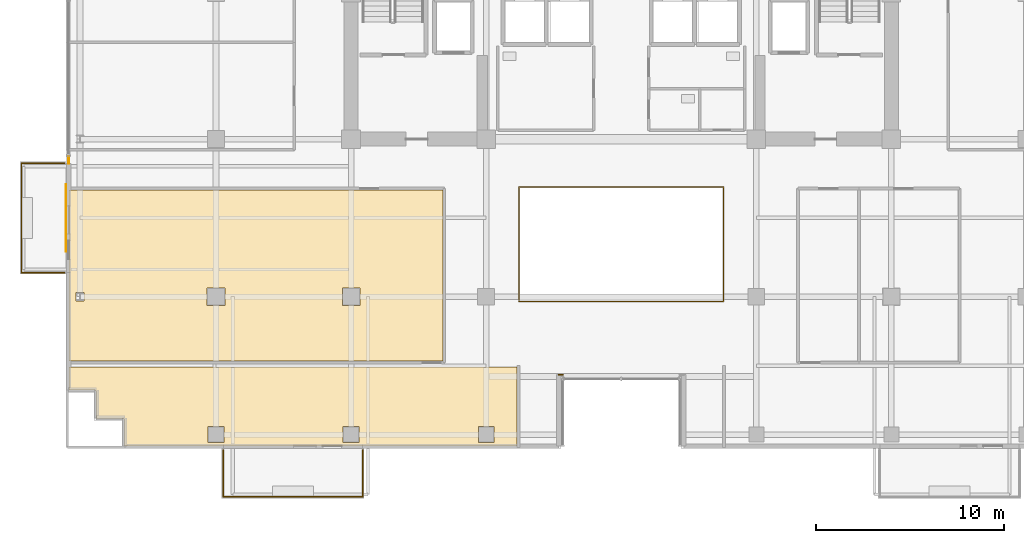
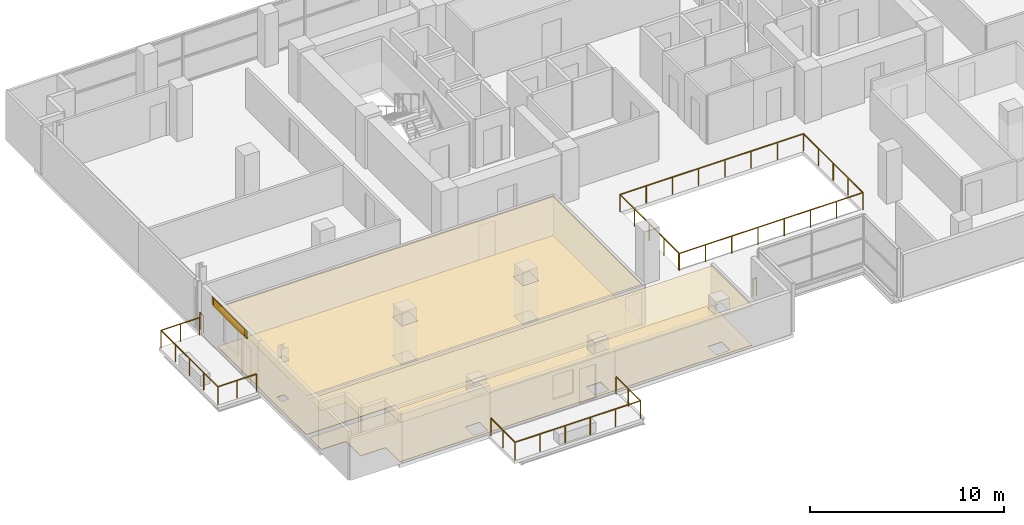
# One storey, part 24 of 28: 5 coverings, 5 railings, 1 shading device.
"""IFC4 building model written with IfcOpenShell, lengths in metres."""

import ifcopenshell
import ifcopenshell.guid

model = None  # the IFC model being written
_history = None  # IfcOwnerHistory: only IFC2X3 demands one
_inside = {}  # id of a spatial element -> (the spatial element, [elements in it])
_under = {}  # id of a project, library or spatial element -> (it, [spatial elements below it])
_declared = {}  # id of a project -> (the project, [libraries it declares])
_typed = {}  # id of a type object -> (the type object, [elements of that type])
_made_of = {}  # id of a material, layer set ... -> (it, [elements and type objects made of it])


def new_model(schema):
    """Start an empty IFC model of exactly this schema.

    Asked for "IFC4X3", IfcOpenShell would pick the latest addendum, in which some entities
    have other attributes; the version numbers below select the first issue.
    IFC2X3 requires an IfcOwnerHistory on every rooted entity: one is made here for all.
    """
    global model, _history
    if schema == "IFC4X3":
        model = ifcopenshell.file(schema_version=(4, 3, 0, 0))
    else:
        model = ifcopenshell.file(schema=schema)
    _inside.clear()
    _under.clear()
    _declared.clear()
    _typed.clear()
    _made_of.clear()
    _history = None
    if model.schema == "IFC2X3":
        org = make("IfcOrganization", Name="unknown")
        user = make(
            "IfcPersonAndOrganization",
            ThePerson=make("IfcPerson", FamilyName="unknown"),
            TheOrganization=org,
        )
        app = make(
            "IfcApplication",
            ApplicationDeveloper=org,
            Version="unknown",
            ApplicationFullName="unknown",
            ApplicationIdentifier="unknown",
        )
        _history = make(
            "IfcOwnerHistory",
            OwningUser=user,
            OwningApplication=app,
            ChangeAction="ADDED",
            CreationDate=0,
        )
    return model


def make(cls, **values):
    """One entity of the class cls with the attributes given. An attribute that is None is left unset."""
    return model.create_entity(
        cls, **{name: value for name, value in values.items() if value is not None}
    )


def rooted(cls, **values):
    """An entity with a GlobalId (a new one), such as an element, a storey or a relation."""
    return make(cls, GlobalId=ifcopenshell.guid.new(), OwnerHistory=_history, **values)


def si_unit(unit_type, name, prefix=None):
    """IfcSIUnit, for example si_unit("LENGTHUNIT", "METRE", prefix="MILLI")."""
    return make("IfcSIUnit", UnitType=unit_type, Prefix=prefix, Name=name)


def assignment(units):
    """IfcUnitAssignment: the units of a project."""
    return None if units is None else make("IfcUnitAssignment", Units=units)


def point(xyz):
    """IfcCartesianPoint."""
    return None if xyz is None else make("IfcCartesianPoint", Coordinates=xyz)


def direction(xyz):
    """IfcDirection."""
    return None if xyz is None else make("IfcDirection", DirectionRatios=xyz)


def frame(location, z_axis=None, x_axis=None):
    """IfcAxis2Placement3D, a coordinate frame: its origin and axes. An axis left out is left unset."""
    return make(
        "IfcAxis2Placement3D",
        Location=point(location),
        Axis=direction(z_axis),
        RefDirection=direction(x_axis),
    )


def frame_2d(location, x_axis=None):
    """IfcAxis2Placement2D, a coordinate frame in the plane: its origin and x axis."""
    return make(
        "IfcAxis2Placement2D", Location=point(location), RefDirection=direction(x_axis)
    )


def origin():
    """The frame at (0, 0, 0) with its axes left unset."""
    return frame((0.0, 0.0, 0.0))


def origin_2d():
    """The frame at (0, 0) in the plane with its x axis left unset."""
    return frame_2d((0.0, 0.0))


def place(relative_to, where):
    """IfcLocalPlacement: puts the frame where relative to a parent placement (None: the world)."""
    return make(
        "IfcLocalPlacement", PlacementRelTo=relative_to, RelativePlacement=where
    )


def context(
    kind, dimensions, precision=None, world=None, true_north=None, identifier=None
):
    """IfcGeometricRepresentationContext, for example the 3D "Model" context."""
    return make(
        "IfcGeometricRepresentationContext",
        ContextIdentifier=identifier,
        ContextType=kind,
        CoordinateSpaceDimension=dimensions,
        Precision=precision,
        WorldCoordinateSystem=world,
        TrueNorth=true_north,
    )


def subcontext(parent, identifier, kind, view, scale=None):
    """IfcGeometricRepresentationSubContext, for example "Body" below "Model"."""
    return make(
        "IfcGeometricRepresentationSubContext",
        ContextIdentifier=identifier,
        ContextType=kind,
        ParentContext=parent,
        TargetScale=scale,
        TargetView=view,
    )


def project(units=None, contexts=None):
    """IfcProject with its units and contexts."""
    return rooted(
        "IfcProject",
        Name="project",
        RepresentationContexts=contexts,
        UnitsInContext=assignment(units),
    )


def spatial(cls, under=None, at=None, **own):
    """A site, building, storey or space (cls), placed at a placement, below another one or the project."""
    s = rooted(cls, ObjectPlacement=at, **own)
    if under is not None:
        _under.setdefault(under.id(), (under, []))[1].append(s)
    return s


def polyline(points):
    """IfcPolyline through the points."""
    return make("IfcPolyline", Points=[point(p) for p in points])


def profile(cls, at=None, kind="AREA", **sizes):
    """A parametric profile (cls). Its sizes go by their IFC names, for example OverallWidth=200.0."""
    return make(cls, ProfileType=kind, Position=at, **sizes)


def rectangle(**sizes):
    """IfcRectangleProfileDef."""
    return profile("IfcRectangleProfileDef", **sizes)


def outline(outer, holes=None, kind="AREA"):
    """IfcArbitraryClosedProfileDef: a profile drawn as a closed curve; with holes, ...WithVoids."""
    if holes is None:
        return make("IfcArbitraryClosedProfileDef", ProfileType=kind, OuterCurve=outer)
    return make(
        "IfcArbitraryProfileDefWithVoids",
        ProfileType=kind,
        OuterCurve=outer,
        InnerCurves=holes,
    )


def extrude(swept, where, along, depth):
    """IfcExtrudedAreaSolid: the profile swept, set in the frame where, extruded along a direction by depth."""
    return make(
        "IfcExtrudedAreaSolid",
        SweptArea=swept,
        Position=where,
        ExtrudedDirection=direction(along),
        Depth=depth,
    )


def shape(context_of_items, identifier, shape_type, items):
    """IfcShapeRepresentation: the items that make up one representation, for example the "Body"."""
    return make(
        "IfcShapeRepresentation",
        ContextOfItems=context_of_items,
        RepresentationIdentifier=identifier,
        RepresentationType=shape_type,
        Items=items,
    )


def source(mapping_origin, context_of_items, identifier, shape_type, items):
    """IfcRepresentationMap: a shape defined once, which mapped items show again and again."""
    return make(
        "IfcRepresentationMap",
        MappingOrigin=mapping_origin,
        MappedRepresentation=shape(context_of_items, identifier, shape_type, items),
    )


def transform(
    local_origin,
    x_axis=None,
    y_axis=None,
    z_axis=None,
    scale=None,
    scale2=None,
    scale3=None,
    uniform=True,
):
    """IfcCartesianTransformationOperator3D, or its non-uniform kind. x_axis, y_axis, z_axis: its Axis1, 2, 3."""
    if uniform:
        return make(
            "IfcCartesianTransformationOperator3D",
            Axis1=direction(x_axis),
            Axis2=direction(y_axis),
            LocalOrigin=point(local_origin),
            Scale=scale,
            Axis3=direction(z_axis),
        )
    return make(
        "IfcCartesianTransformationOperator3DnonUniform",
        Axis1=direction(x_axis),
        Axis2=direction(y_axis),
        LocalOrigin=point(local_origin),
        Scale=scale,
        Axis3=direction(z_axis),
        Scale2=scale2,
        Scale3=scale3,
    )


def mapped(mapping_source, mapping_target):
    """IfcMappedItem: shows the shape of a source again, moved by a transform."""
    return make(
        "IfcMappedItem", MappingSource=mapping_source, MappingTarget=mapping_target
    )


def material(Name=None, Category=None):
    """IfcMaterial."""
    return make("IfcMaterial", Name=Name, Category=Category)


def layer(
    of_material, thickness, ventilated=None, Name=None, Category=None, Priority=None
):
    """IfcMaterialLayer: one layer of a wall or slab, of a material (None: an air gap)."""
    return make(
        "IfcMaterialLayer",
        Material=of_material,
        LayerThickness=thickness,
        IsVentilated=ventilated,
        Name=Name,
        Category=Category,
        Priority=Priority,
    )


def layer_set(layers, Name=None):
    """IfcMaterialLayerSet."""
    return make("IfcMaterialLayerSet", MaterialLayers=layers, LayerSetName=Name)


def made_of(thing, what):
    """Note that an element or type object is made of a material, layer set ...; save() writes the relation."""
    if what is not None:
        _made_of.setdefault(what.id(), (what, []))[1].append(thing)
    return thing


def type_object(cls, material=None, **own):
    """A type object (cls), such as IfcWallType, which elements share."""
    return made_of(rooted(cls, **own), material)


def element(
    cls,
    number,
    at=None,
    inside=None,
    cuts=None,
    type_object=None,
    material=None,
    context=None,
    identifier="Body",
    shape_type=None,
    held_by="IfcProductDefinitionShape",
    body=None,
    shapes=None,
    **own,
):
    """One element of the class cls, such as IfcWall. Its Tag is "e" and its number.

    at: its placement. inside: the storey or other place that contains it. cuts: it is an
    opening in that element (IfcRelVoidsElement). A single representation is given by context,
    identifier, shape_type and body (its items); several are given by shapes. held_by: the class
    of the entity that holds the representations. save() writes the other relations.
    """
    e = rooted(cls, Tag="e%d" % number, ObjectPlacement=at, **own)
    if body is not None:
        shapes = [shape(context, identifier, shape_type, body)]
    if shapes is not None:
        e.Representation = make(held_by, Representations=shapes)
    if inside is not None:
        _inside.setdefault(inside.id(), (inside, []))[1].append(e)
    if cuts is not None:
        rooted(
            "IfcRelVoidsElement", RelatingBuildingElement=cuts, RelatedOpeningElement=e
        )
    if type_object is not None:
        _typed.setdefault(type_object.id(), (type_object, []))[1].append(e)
    return made_of(e, material)


def aggregate(whole, parts):
    """IfcRelAggregates: a whole, such as a stair, and the parts it consists of."""
    return rooted("IfcRelAggregates", RelatingObject=whole, RelatedObjects=parts)


def save(model, path):
    """Write the relations noted so far, then the file.

    IfcRelAggregates (storeys below a building ...), IfcRelContainedInSpatialStructure (elements
    in a storey), IfcRelDefinesByType, IfcRelAssociatesMaterial and IfcRelDeclares: one each for
    every whole, place, type object, material and project.
    """
    for whole, parts in _under.values():
        aggregate(whole, parts)
    for where, things in _inside.values():
        rooted(
            "IfcRelContainedInSpatialStructure",
            RelatedElements=things,
            RelatingStructure=where,
        )
    for kind, things in _typed.values():
        rooted("IfcRelDefinesByType", RelatedObjects=things, RelatingType=kind)
    for what, things in _made_of.values():
        rooted("IfcRelAssociatesMaterial", RelatedObjects=things, RelatingMaterial=what)
    for by, libraries in _declared.values():
        rooted("IfcRelDeclares", RelatingContext=by, RelatedDefinitions=libraries)
    model.write(path)


model = new_model("IFC4")

# Units and contexts
model_context = context("Model", 3, precision=1e-05, world=origin(), true_north=direction((0.0, 1.0)))
body_context = subcontext(model_context, "Body", "Model", "MODEL_VIEW")
ifc_project = project(units=[si_unit("LENGTHUNIT", "METRE"), si_unit("AREAUNIT", "SQUARE_METRE"), si_unit("VOLUMEUNIT", "CUBIC_METRE"), si_unit("PLANEANGLEUNIT", "RADIAN"), si_unit("MASSUNIT", "GRAM", prefix="KILO")], contexts=[model_context])

# Site, building, storey
site_placement = place(None, origin())
site = spatial("IfcSite", under=ifc_project, at=site_placement, CompositionType="ELEMENT")
building_placement = place(site_placement, origin())
building = spatial("IfcBuilding", under=site, at=building_placement, Name="Zarnakvel Exchange Tower", CompositionType="ELEMENT")
storey_placement = place(building_placement, frame((0.0, 0.0, 90.10009765625)))
storey = spatial("IfcBuildingStorey", under=building, at=storey_placement, Name="L24", CompositionType="ELEMENT", Elevation=90.10009765625)

# Coverings
ifc_material_1 = material(Name="Perforated Bronze Acoustic Metal Ceiling", Category="aluminium")
ifc_layer_1 = layer(ifc_material_1, 0.02001953125)
ifc_layer_set_1 = layer_set([ifc_layer_1], Name="Perforated Bronze Acoustic Metal Ceiling")
covering_type_1 = type_object("IfcCoveringType", Name="CLG-01", PredefinedType="CEILING", material=ifc_layer_set_1)
covering_1_placement = place(storey_placement, frame((0.0, 0.0, 2.454833984375)))
element("IfcCovering", 1, at=covering_1_placement, inside=storey, type_object=covering_type_1, Name="L24 Suspended Acoustic Ceiling (Electronic Trading Hall)", PredefinedType="CEILING", context=body_context, shape_type="SweptSolid", body=[
    extrude(outline(polyline([(-29.449951171875, -3.909912109375), (-9.510009765625, -3.909912109375), (-9.510009765625, -13.0400390625), (-29.449951171875, -13.0400390625), (-29.449951171875, -3.909912109375)]), holes=[polyline([(-13.929931640625, -10.070068359375), (-13.929931640625, -9.1298828125), (-14.8701171875, -9.1298828125), (-14.8701171875, -10.070068359375), (-13.929931640625, -10.070068359375)]), polyline([(-21.1298828125, -10.070068359375), (-21.1298828125, -9.1298828125), (-22.070068359375, -9.1298828125), (-22.070068359375, -10.070068359375), (-21.1298828125, -10.070068359375)]), polyline([(-29.072021484375, -9.823486328125), (-28.6279296875, -9.823486328125), (-28.6279296875, -9.37646484375), (-29.072021484375, -9.37646484375), (-29.072021484375, -9.823486328125)])]), origin(), (0.0, 0.0, 1.0), 0.02001953125),
])
covering_2_placement = place(storey_placement, frame((0.0, 0.0, 2.454833984375)))
element("IfcCovering", 2, at=covering_2_placement, inside=storey, type_object=covering_type_1, Name="L24 Suspended Acoustic Ceiling (Electronic Trading Hall)", PredefinedType="CEILING", context=body_context, shape_type="SweptSolid", body=[
    extrude(outline(polyline([(-5.56005859375, -13.360107421875), (-5.56005859375, -17.550048828125), (-26.47998046875, -17.550048828125), (-26.47998046875, -16.199951171875), (-26.48046875, -16.188232421875), (-26.482421875, -16.176513671875), (-26.485107421875, -16.165283203125), (-26.489013671875, -16.154052734375), (-26.494140625, -16.143310546875), (-26.500244140625, -16.13330078125), (-26.50732421875, -16.123779296875), (-26.51513671875, -16.115234375), (-26.52392578125, -16.107177734375), (-26.533447265625, -16.100341796875), (-26.54345703125, -16.09423828125), (-26.55419921875, -16.089111328125), (-26.565185546875, -16.085205078125), (-26.57666015625, -16.082275390625), (-26.588134765625, -16.08056640625), (-26.60009765625, -16.080078125), (-27.97998046875, -16.080078125), (-27.97998046875, -14.699951171875), (-27.98046875, -14.688232421875), (-27.982421875, -14.676513671875), (-27.985107421875, -14.665283203125), (-27.989013671875, -14.654052734375), (-27.994140625, -14.643310546875), (-28.000244140625, -14.63330078125), (-28.00732421875, -14.623779296875), (-28.01513671875, -14.615234375), (-28.02392578125, -14.607177734375), (-28.033447265625, -14.600341796875), (-28.04345703125, -14.59423828125), (-28.05419921875, -14.589111328125), (-28.065185546875, -14.585205078125), (-28.07666015625, -14.582275390625), (-28.088134765625, -14.58056640625), (-28.10009765625, -14.580078125), (-29.449951171875, -14.580078125), (-29.449951171875, -13.360107421875), (-5.56005859375, -13.360107421875)]), holes=[polyline([(-6.780029296875, -17.3701171875), (-6.780029296875, -16.530029296875), (-7.6201171875, -16.530029296875), (-7.6201171875, -17.3701171875), (-6.780029296875, -17.3701171875)]), polyline([(-13.97998046875, -17.3701171875), (-13.97998046875, -16.530029296875), (-14.820068359375, -16.530029296875), (-14.820068359375, -17.3701171875), (-13.97998046875, -17.3701171875)]), polyline([(-21.179931640625, -17.3701171875), (-21.179931640625, -16.530029296875), (-22.02001953125, -16.530029296875), (-22.02001953125, -17.3701171875), (-21.179931640625, -17.3701171875)])]), origin(), (0.0, 0.0, 1.0), 0.02001953125),
])
ifc_material_2 = material(Name="Heavy-Duty Raised Access Floor Panel", Category="steel")
ifc_layer_2 = layer(ifc_material_2, 0.034912109375)
ifc_layer_set_2 = layer_set([ifc_layer_2], Name="Heavy-Duty Raised Access Floor Panel")
covering_type_2 = type_object("IfcCoveringType", Name="FLR-02", PredefinedType="FLOORING", material=ifc_layer_set_2)
covering_3_placement = place(storey_placement, origin())
element("IfcCovering", 3, at=covering_3_placement, inside=storey, type_object=covering_type_2, Name="L24 Floor Finish (Electronic Trading Hall)", PredefinedType="FLOORING", context=body_context, shape_type="SweptSolid", body=[
    extrude(outline(polyline([(-29.449951171875, -3.909912109375), (-9.510009765625, -3.909912109375), (-9.510009765625, -13.0400390625), (-29.449951171875, -13.0400390625), (-29.449951171875, -3.909912109375)]), holes=[polyline([(-13.929931640625, -10.070068359375), (-13.929931640625, -9.1298828125), (-14.8701171875, -9.1298828125), (-14.8701171875, -10.070068359375), (-13.929931640625, -10.070068359375)]), polyline([(-21.1298828125, -10.070068359375), (-21.1298828125, -9.1298828125), (-22.070068359375, -9.1298828125), (-22.070068359375, -10.070068359375), (-21.1298828125, -10.070068359375)]), polyline([(-29.072021484375, -9.823486328125), (-28.6279296875, -9.823486328125), (-28.6279296875, -9.37646484375), (-29.072021484375, -9.37646484375), (-29.072021484375, -9.823486328125)])]), origin(), (0.0, 0.0, 1.0), 0.034912109375),
])
covering_4_placement = place(storey_placement, origin())
element("IfcCovering", 4, at=covering_4_placement, inside=storey, type_object=covering_type_2, Name="L24 Floor Finish (Electronic Trading Hall)", PredefinedType="FLOORING", context=body_context, shape_type="SweptSolid", body=[
    extrude(outline(polyline([(-5.56005859375, -13.360107421875), (-5.56005859375, -17.550048828125), (-26.47998046875, -17.550048828125), (-26.47998046875, -16.199951171875), (-26.48046875, -16.188232421875), (-26.482421875, -16.176513671875), (-26.485107421875, -16.165283203125), (-26.489013671875, -16.154052734375), (-26.494140625, -16.143310546875), (-26.500244140625, -16.13330078125), (-26.50732421875, -16.123779296875), (-26.51513671875, -16.115234375), (-26.52392578125, -16.107177734375), (-26.533447265625, -16.100341796875), (-26.54345703125, -16.09423828125), (-26.55419921875, -16.089111328125), (-26.565185546875, -16.085205078125), (-26.57666015625, -16.082275390625), (-26.588134765625, -16.08056640625), (-26.60009765625, -16.080078125), (-27.97998046875, -16.080078125), (-27.97998046875, -14.699951171875), (-27.98046875, -14.688232421875), (-27.982421875, -14.676513671875), (-27.985107421875, -14.665283203125), (-27.989013671875, -14.654052734375), (-27.994140625, -14.643310546875), (-28.000244140625, -14.63330078125), (-28.00732421875, -14.623779296875), (-28.01513671875, -14.615234375), (-28.02392578125, -14.607177734375), (-28.033447265625, -14.600341796875), (-28.04345703125, -14.59423828125), (-28.05419921875, -14.589111328125), (-28.065185546875, -14.585205078125), (-28.07666015625, -14.582275390625), (-28.088134765625, -14.58056640625), (-28.10009765625, -14.580078125), (-29.449951171875, -14.580078125), (-29.449951171875, -13.360107421875), (-5.56005859375, -13.360107421875)]), holes=[polyline([(-6.780029296875, -17.3701171875), (-6.780029296875, -16.530029296875), (-7.6201171875, -16.530029296875), (-7.6201171875, -17.3701171875), (-6.780029296875, -17.3701171875)]), polyline([(-13.97998046875, -17.3701171875), (-13.97998046875, -16.530029296875), (-14.820068359375, -16.530029296875), (-14.820068359375, -17.3701171875), (-13.97998046875, -17.3701171875)]), polyline([(-21.179931640625, -17.3701171875), (-21.179931640625, -16.530029296875), (-22.02001953125, -16.530029296875), (-22.02001953125, -17.3701171875), (-21.179931640625, -17.3701171875)])]), origin(), (0.0, 0.0, 1.0), 0.034912109375),
])

# Railings
ifc_material_3 = material(Name="Architectural Bronze Anodised Aluminium", Category="aluminium")
railing_type_1 = type_object("IfcRailingType", Name="GR-02", PredefinedType="GUARDRAIL", material=ifc_material_3)
railing_1_placement = place(storey_placement, frame((-21.219970703125, -17.780029296875, -0.03515625)))
element("IfcRailing", 5, at=railing_1_placement, inside=storey, type_object=railing_type_1, Name="L24 Balcony Guardrail BAL-L24-SW", PredefinedType="GUARDRAIL", context=body_context, shape_type="SweptSolid", body=[
    extrude(rectangle(XDim=0.048095703125, YDim=0.048095703125, at=origin_2d()), frame((0.0, 0.0, 1.09619140625), z_axis=(0.0, -1.0, 0.0), x_axis=(1.0, 0.0, 0.0)), (0.0, 0.0, 1.0), 2.489990234375),
    extrude(rectangle(XDim=0.048095703125, YDim=0.048095703125, at=origin_2d()), frame((0.0, -2.489990234375, 1.09619140625), z_axis=(1.0, 0.0, 0.0), x_axis=(0.0, 1.0, 0.0)), (0.0, 0.0, 1.0), 7.43994140625),
    extrude(rectangle(XDim=0.048095703125, YDim=0.048095703125, at=origin_2d()), frame((7.43994140625, -2.489990234375, 1.09619140625), z_axis=(0.0, 1.0, 0.0), x_axis=(-1.0, 0.0, 0.0)), (0.0, 0.0, 1.0), 2.489990234375),
    extrude(rectangle(XDim=0.0419921875, YDim=0.0419921875, at=origin_2d()), origin(), (0.0, 0.0, 1.0), 1.072021484375),
    extrude(rectangle(XDim=0.0419921875, YDim=0.0419921875, at=origin_2d()), frame((0.0, -1.2451171875, 0.0)), (0.0, 0.0, 1.0), 1.072021484375),
    extrude(rectangle(XDim=0.0419921875, YDim=0.0419921875, at=origin_2d()), frame((0.0, -2.489990234375, 0.0)), (0.0, 0.0, 1.0), 1.072021484375),
    extrude(rectangle(XDim=0.0419921875, YDim=0.0419921875, at=origin_2d()), frame((1.488037109375, -2.489990234375, 0.0)), (0.0, 0.0, 1.0), 1.072021484375),
    extrude(rectangle(XDim=0.0419921875, YDim=0.0419921875, at=origin_2d()), frame((2.97607421875, -2.489990234375, 0.0)), (0.0, 0.0, 1.0), 1.072021484375),
    extrude(rectangle(XDim=0.0419921875, YDim=0.0419921875, at=origin_2d()), frame((4.4638671875, -2.489990234375, 0.0)), (0.0, 0.0, 1.0), 1.072021484375),
    extrude(rectangle(XDim=0.0419921875, YDim=0.0419921875, at=origin_2d()), frame((5.951904296875, -2.489990234375, 0.0)), (0.0, 0.0, 1.0), 1.072021484375),
    extrude(rectangle(XDim=0.0419921875, YDim=0.0419921875, at=origin_2d()), frame((7.43994140625, -2.489990234375, 0.0)), (0.0, 0.0, 1.0), 1.072021484375),
    extrude(rectangle(XDim=0.0419921875, YDim=0.0419921875, at=origin_2d()), frame((7.43994140625, -1.2451171875, 0.0)), (0.0, 0.0, 1.0), 1.072021484375),
    extrude(rectangle(XDim=0.0419921875, YDim=0.0419921875, at=origin_2d()), frame((7.43994140625, 0.0, 0.0)), (0.0, 0.0, 1.0), 1.072021484375),
])
railing_2_placement = place(storey_placement, frame((-29.679931640625, -8.320068359375, -0.03515625)))
element("IfcRailing", 6, at=railing_2_placement, inside=storey, type_object=railing_type_1, Name="L24 Balcony Guardrail BAL-L24-W", PredefinedType="GUARDRAIL", context=body_context, shape_type="SweptSolid", body=[
    extrude(rectangle(XDim=0.048095703125, YDim=0.048095703125, at=origin_2d()), frame((0.0, 0.0, 1.09619140625), z_axis=(-1.0, 0.0, 0.0), x_axis=(0.0, -1.0, 0.0)), (0.0, 0.0, 1.0), 2.2900390625),
    extrude(rectangle(XDim=0.048095703125, YDim=0.048095703125, at=origin_2d()), frame((-2.2900390625, 0.0, 1.09619140625), z_axis=(0.0, 1.0, 0.0), x_axis=(-1.0, 0.0, 0.0)), (0.0, 0.0, 1.0), 5.840087890625),
    extrude(rectangle(XDim=0.048095703125, YDim=0.048095703125, at=origin_2d()), frame((-2.2900390625, 5.840087890625, 1.09619140625), z_axis=(1.0, 0.0, 0.0), x_axis=(0.0, 1.0, 0.0)), (0.0, 0.0, 1.0), 2.2900390625),
    extrude(rectangle(XDim=0.0419921875, YDim=0.0419921875, at=origin_2d()), origin(), (0.0, 0.0, 1.0), 1.072021484375),
    extrude(rectangle(XDim=0.0419921875, YDim=0.0419921875, at=origin_2d()), frame((-1.14501953125, 0.0, 0.0)), (0.0, 0.0, 1.0), 1.072021484375),
    extrude(rectangle(XDim=0.0419921875, YDim=0.0419921875, at=origin_2d()), frame((-2.2900390625, 0.0, 0.0)), (0.0, 0.0, 1.0), 1.072021484375),
    extrude(rectangle(XDim=0.0419921875, YDim=0.0419921875, at=origin_2d()), frame((-2.2900390625, 1.4599609375, 0.0)), (0.0, 0.0, 1.0), 1.072021484375),
    extrude(rectangle(XDim=0.0419921875, YDim=0.0419921875, at=origin_2d()), frame((-2.2900390625, 2.919921875, 0.0)), (0.0, 0.0, 1.0), 1.072021484375),
    extrude(rectangle(XDim=0.0419921875, YDim=0.0419921875, at=origin_2d()), frame((-2.2900390625, 4.380126953125, 0.0)), (0.0, 0.0, 1.0), 1.072021484375),
    extrude(rectangle(XDim=0.0419921875, YDim=0.0419921875, at=origin_2d()), frame((-2.2900390625, 5.840087890625, 0.0)), (0.0, 0.0, 1.0), 1.072021484375),
    extrude(rectangle(XDim=0.0419921875, YDim=0.0419921875, at=origin_2d()), frame((-1.14501953125, 5.840087890625, 0.0)), (0.0, 0.0, 1.0), 1.072021484375),
    extrude(rectangle(XDim=0.0419921875, YDim=0.0419921875, at=origin_2d()), frame((0.0, 5.840087890625, 0.0)), (0.0, 0.0, 1.0), 1.072021484375),
])
railing_3_placement = place(storey_placement, frame((-29.4599609375, -2.5, 0.0)))
element("IfcRailing", 7, at=railing_3_placement, inside=storey, type_object=railing_type_1, Name="L24 Corner Spandrel Balustrade #2", PredefinedType="GUARDRAIL", context=body_context, shape_type="SweptSolid", body=[
    extrude(rectangle(XDim=0.048095703125, YDim=0.048095703125, at=origin_2d()), frame((0.0, 0.0, 1.09619140625), z_axis=(0.0, 1.0, 0.0), x_axis=(-1.0, 0.0, 0.0)), (0.0, 0.0, 1.0), 0.39990234375),
    extrude(rectangle(XDim=0.0419921875, YDim=0.0419921875, at=origin_2d()), origin(), (0.0, 0.0, 1.0), 1.072021484375),
    extrude(rectangle(XDim=0.0419921875, YDim=0.0419921875, at=origin_2d()), frame((0.0, 0.39990234375, 0.0)), (0.0, 0.0, 1.0), 1.072021484375),
])
railing_4_placement = place(storey_placement, frame((-3.1201171875, -13.760009765625, 0.0)))
element("IfcRailing", 8, at=railing_4_placement, inside=storey, type_object=railing_type_1, Name="L24 Corner Spandrel Balustrade #21", PredefinedType="GUARDRAIL", context=body_context, shape_type="SweptSolid", body=[
    extrude(rectangle(XDim=0.048095703125, YDim=0.048095703125, at=origin_2d()), frame((0.0, 0.0, 1.09619140625), z_axis=(-1.0, 0.0, 0.0), x_axis=(0.0, -1.0, 0.0)), (0.0, 0.0, 1.0), 0.219970703125),
    extrude(rectangle(XDim=0.0419921875, YDim=0.0419921875, at=origin_2d()), origin(), (0.0, 0.0, 1.0), 1.072021484375),
    extrude(rectangle(XDim=0.0419921875, YDim=0.0419921875, at=origin_2d()), frame((-0.219970703125, 0.0, 0.0)), (0.0, 0.0, 1.0), 1.072021484375),
])
railing_type_2 = type_object("IfcRailingType", Name="GR-03", PredefinedType="GUARDRAIL", material=ifc_material_3)
railing_5_placement = place(storey_placement, frame((-5.449951171875, -9.85009765625, 0.0)))
element("IfcRailing", 9, at=railing_5_placement, inside=storey, type_object=railing_type_2, Name="L24 Atrium Void Perimeter Balustrade", PredefinedType="GUARDRAIL", context=body_context, shape_type="SweptSolid", body=[
    extrude(rectangle(XDim=0.048095703125, YDim=0.048095703125, at=origin_2d()), frame((0.0, 0.0, 1.076171875), z_axis=(1.0, 0.0, 0.0), x_axis=(0.0, 1.0, 0.0)), (0.0, 0.0, 1.0), 10.89990234375),
    extrude(rectangle(XDim=0.048095703125, YDim=0.048095703125, at=origin_2d()), frame((10.89990234375, 0.0, 1.076171875), z_axis=(0.0, 1.0, 0.0), x_axis=(-1.0, 0.0, 0.0)), (0.0, 0.0, 1.0), 6.10009765625),
    extrude(rectangle(XDim=0.048095703125, YDim=0.048095703125, at=origin_2d()), frame((10.89990234375, 6.10009765625, 1.076171875), z_axis=(-1.0, 0.0, 0.0), x_axis=(0.0, -1.0, 0.0)), (0.0, 0.0, 1.0), 10.89990234375),
    extrude(rectangle(XDim=0.048095703125, YDim=0.048095703125, at=origin_2d()), frame((0.0, 6.10009765625, 1.076171875), z_axis=(0.0, -1.0, 0.0), x_axis=(1.0, 0.0, 0.0)), (0.0, 0.0, 1.0), 6.02001953125),
    extrude(rectangle(XDim=0.0419921875, YDim=0.0419921875, at=origin_2d()), origin(), (0.0, 0.0, 1.0), 1.052001953125),
    extrude(rectangle(XDim=0.0419921875, YDim=0.0419921875, at=origin_2d()), frame((1.55712890625, 0.0, 0.0)), (0.0, 0.0, 1.0), 1.052001953125),
    extrude(rectangle(XDim=0.0419921875, YDim=0.0419921875, at=origin_2d()), frame((3.1142578125, 0.0, 0.0)), (0.0, 0.0, 1.0), 1.052001953125),
    extrude(rectangle(XDim=0.0419921875, YDim=0.0419921875, at=origin_2d()), frame((4.67138671875, 0.0, 0.0)), (0.0, 0.0, 1.0), 1.052001953125),
    extrude(rectangle(XDim=0.0419921875, YDim=0.0419921875, at=origin_2d()), frame((6.228515625, 0.0, 0.0)), (0.0, 0.0, 1.0), 1.052001953125),
    extrude(rectangle(XDim=0.0419921875, YDim=0.0419921875, at=origin_2d()), frame((7.78564453125, 0.0, 0.0)), (0.0, 0.0, 1.0), 1.052001953125),
    extrude(rectangle(XDim=0.0419921875, YDim=0.0419921875, at=origin_2d()), frame((9.3427734375, 0.0, 0.0)), (0.0, 0.0, 1.0), 1.052001953125),
    extrude(rectangle(XDim=0.0419921875, YDim=0.0419921875, at=origin_2d()), frame((10.89990234375, 0.0, 0.0)), (0.0, 0.0, 1.0), 1.052001953125),
    extrude(rectangle(XDim=0.0419921875, YDim=0.0419921875, at=origin_2d()), frame((10.89990234375, 1.52490234375, 0.0)), (0.0, 0.0, 1.0), 1.052001953125),
    extrude(rectangle(XDim=0.0419921875, YDim=0.0419921875, at=origin_2d()), frame((10.89990234375, 3.050048828125, 0.0)), (0.0, 0.0, 1.0), 1.052001953125),
    extrude(rectangle(XDim=0.0419921875, YDim=0.0419921875, at=origin_2d()), frame((10.89990234375, 4.5751953125, 0.0)), (0.0, 0.0, 1.0), 1.052001953125),
    extrude(rectangle(XDim=0.0419921875, YDim=0.0419921875, at=origin_2d()), frame((10.89990234375, 6.10009765625, 0.0)), (0.0, 0.0, 1.0), 1.052001953125),
    extrude(rectangle(XDim=0.0419921875, YDim=0.0419921875, at=origin_2d()), frame((9.3427734375, 6.10009765625, 0.0)), (0.0, 0.0, 1.0), 1.052001953125),
    extrude(rectangle(XDim=0.0419921875, YDim=0.0419921875, at=origin_2d()), frame((7.78564453125, 6.10009765625, 0.0)), (0.0, 0.0, 1.0), 1.052001953125),
    extrude(rectangle(XDim=0.0419921875, YDim=0.0419921875, at=origin_2d()), frame((6.228515625, 6.10009765625, 0.0)), (0.0, 0.0, 1.0), 1.052001953125),
    extrude(rectangle(XDim=0.0419921875, YDim=0.0419921875, at=origin_2d()), frame((4.67138671875, 6.10009765625, 0.0)), (0.0, 0.0, 1.0), 1.052001953125),
    extrude(rectangle(XDim=0.0419921875, YDim=0.0419921875, at=origin_2d()), frame((3.1142578125, 6.10009765625, 0.0)), (0.0, 0.0, 1.0), 1.052001953125),
    extrude(rectangle(XDim=0.0419921875, YDim=0.0419921875, at=origin_2d()), frame((1.55712890625, 6.10009765625, 0.0)), (0.0, 0.0, 1.0), 1.052001953125),
    extrude(rectangle(XDim=0.0419921875, YDim=0.0419921875, at=origin_2d()), frame((0.0, 6.10009765625, 0.0)), (0.0, 0.0, 1.0), 1.052001953125),
    extrude(rectangle(XDim=0.0419921875, YDim=0.0419921875, at=origin_2d()), frame((0.0, 4.59521484375, 0.0)), (0.0, 0.0, 1.0), 1.052001953125),
    extrude(rectangle(XDim=0.0419921875, YDim=0.0419921875, at=origin_2d()), frame((0.0, 3.090087890625, 0.0)), (0.0, 0.0, 1.0), 1.052001953125),
    extrude(rectangle(XDim=0.0419921875, YDim=0.0419921875, at=origin_2d()), frame((0.0, 1.5849609375, 0.0)), (0.0, 0.0, 1.0), 1.052001953125),
    extrude(rectangle(XDim=0.0419921875, YDim=0.0419921875, at=origin_2d()), frame((0.0, 0.080078125, 0.0)), (0.0, 0.0, 1.0), 1.052001953125),
])

# Shading device
ifc_material_4 = material(Name="Perforated Architectural Bronze Screen", Category="aluminium")
ifc_layer_3 = layer(ifc_material_4, 0.044921875)
ifc_layer_set_3 = layer_set([ifc_layer_3], Name="Perforated Architectural Bronze Screen")
shading_device_type = type_object("IfcShadingDeviceType", Name="SS-01", PredefinedType="JALOUSIE", material=ifc_layer_set_3)
shared_shape_1 = source(origin(), body_context, "Body", "SweptSolid", [
    extrude(rectangle(XDim=3.199951171875, YDim=0.044921875, at=origin_2d()), origin(), (0.0, 0.0, 1.0), 0.4951171875),
])
shading_device_placement = place(storey_placement, frame((-29.6005859375, -5.39990234375, 2.559814453125), z_axis=(0.0, 0.0, 1.0), x_axis=(0.0, 1.0, 0.0)))
element("IfcShadingDevice", 10, at=shading_device_placement, inside=storey, type_object=shading_device_type, Name="L24 Bronze Solar Shading Screen SS-01", PredefinedType="JALOUSIE", context=body_context, shape_type="MappedRepresentation", body=[
    mapped(shared_shape_1, transform((0.0, 0.0, 0.0), x_axis=(1.0, 0.0, 0.0), y_axis=(0.0, 1.0, 0.0), z_axis=(0.0, 0.0, 1.0), scale=1.0)),
])

# Covering
ifc_material_5 = material(Name="Glazed Turquoise Ceramic Architectural Tile", Category="ceramic")
ifc_layer_4 = layer(ifc_material_5, 0.028076171875)
ifc_layer_set_4 = layer_set([ifc_layer_4], Name="Glazed Turquoise Ceramic Architectural Tile")
covering_type_3 = type_object("IfcCoveringType", Name="CL-01", PredefinedType="CLADDING", material=ifc_layer_set_4)
shared_shape_2 = source(origin(), body_context, "Body", "SweptSolid", [
    extrude(rectangle(XDim=3.60009765625, YDim=0.028076171875, at=origin_2d()), origin(), (0.0, 0.0, 1.0), 0.4951171875),
])
covering_5_placement = place(storey_placement, frame((-29.592041015625, -5.39990234375, 2.559814453125), z_axis=(0.0, 0.0, 1.0), x_axis=(0.0, 1.0, 0.0)))
element("IfcCovering", 11, at=covering_5_placement, inside=storey, type_object=covering_type_3, Name="L24 Ceramic Spandrel Tilework CL-01", PredefinedType="CLADDING", context=body_context, shape_type="MappedRepresentation", body=[
    mapped(shared_shape_2, transform((0.0, 0.0, 0.0), x_axis=(1.0, 0.0, 0.0), y_axis=(0.0, 1.0, 0.0), z_axis=(0.0, 0.0, 1.0), scale=1.0)),
])

save(model, "model.ifc")
